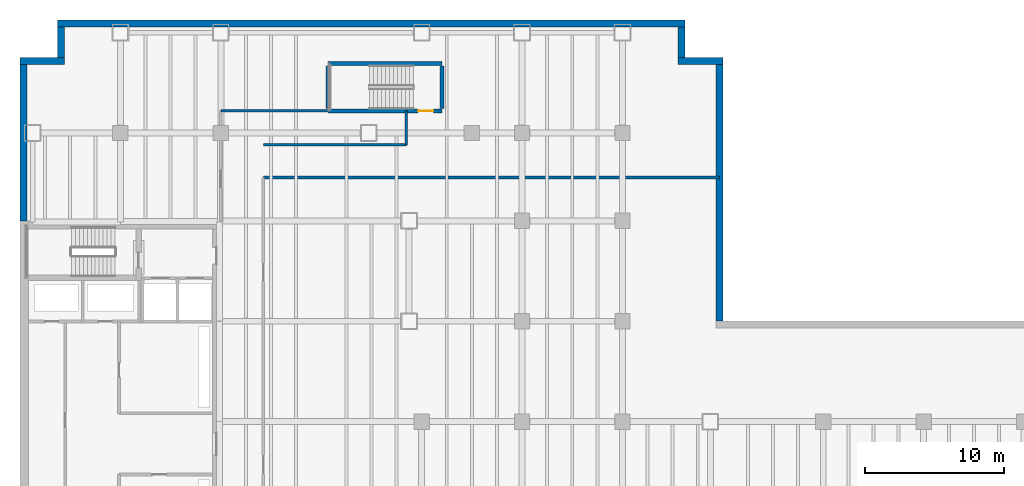
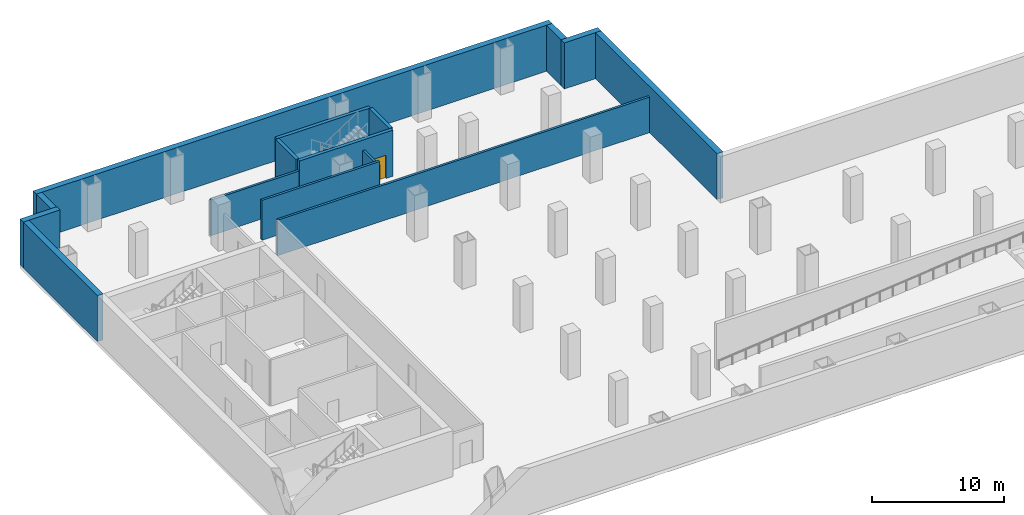
# One storey, part 7 of 11: 15 walls, 1 door, 1 opening.
"""IFC4 building model written with IfcOpenShell, lengths in metres."""

from ifc_helpers import new_model, si_unit, direction, frame, frame_2d, origin, place, context, subcontext, project, spatial, rectangle, extrude, material, layer, layer_set, type_object, element, fill, save


model = new_model("IFC4")

# Units and contexts
model_context = context("Model", 3, precision=1e-05, world=origin(), true_north=direction((0.0, 1.0)))
body_context = subcontext(model_context, "Body", "Model", "MODEL_VIEW")
ifc_project = project(units=[si_unit("LENGTHUNIT", "METRE"), si_unit("AREAUNIT", "SQUARE_METRE"), si_unit("VOLUMEUNIT", "CUBIC_METRE"), si_unit("PLANEANGLEUNIT", "RADIAN"), si_unit("MASSUNIT", "GRAM", prefix="KILO")], contexts=[model_context])

# Site, building, storey
site_placement = place(None, origin())
site = spatial("IfcSite", under=ifc_project, at=site_placement, CompositionType="ELEMENT")
building_placement = place(site_placement, origin())
building = spatial("IfcBuilding", under=site, at=building_placement, Name="Cobrela Telecom Tower", CompositionType="ELEMENT")
storey_placement = place(building_placement, frame((0.0, 0.0, -4.550048828125)))
storey = spatial("IfcBuildingStorey", under=building, at=storey_placement, Name="B1", CompositionType="ELEMENT", Elevation=-4.550048828125)

# Walls
ifc_material_1 = material(Name="Concrete C40/50", Category="concrete")
ifc_layer_1 = layer(ifc_material_1, 0.5)
ifc_layer_set_1 = layer_set([ifc_layer_1], Name="Concrete C40/50")
wall_type_1 = type_object("IfcWallType", Name="WALL-RET-C40-500", PredefinedType="SOLIDWALL", material=ifc_layer_set_1)
wall_1_placement = place(storey_placement, frame((0.25, 36.0, 0.0), z_axis=(0.0, 0.0, 1.0), x_axis=(0.0, 1.0, 0.0)))
element("IfcWall", 1, at=wall_1_placement, inside=storey, type_object=wall_type_1, Name="B1 Basement Retaining Wall 3.2", PredefinedType="SOLIDWALL", context=body_context, shape_type="SweptSolid", body=[
    extrude(rectangle(XDim=11.199951171875, YDim=0.5, at=frame_2d((5.60009765625, 0.0))), origin(), (0.0, 0.0, 1.0), 4.25),
])
wall_2_placement = place(storey_placement, frame((0.0, 47.449951171875, 0.0), z_axis=(0.0, 0.0, 1.0), x_axis=(1.0, 0.0, 0.0)))
element("IfcWall", 2, at=wall_2_placement, inside=storey, type_object=wall_type_1, Name="B1 Basement Retaining Wall 04", PredefinedType="SOLIDWALL", context=body_context, shape_type="SweptSolid", body=[
    extrude(rectangle(XDim=3.199951171875, YDim=0.5, at=frame_2d((1.60009765625, 0.0))), origin(), (0.0, 0.0, 1.0), 4.25),
])
wall_3_placement = place(storey_placement, frame((2.949951171875, 47.699951171875, 0.0), z_axis=(0.0, 0.0, 1.0), x_axis=(0.0, 1.0, 0.0)))
element("IfcWall", 3, at=wall_3_placement, inside=storey, type_object=wall_type_1, Name="B1 Basement Retaining Wall 05", PredefinedType="SOLIDWALL", context=body_context, shape_type="SweptSolid", body=[
    extrude(rectangle(XDim=2.199951171875, YDim=0.5, at=frame_2d((1.10009765625, 0.0))), origin(), (0.0, 0.0, 1.0), 4.25),
])
wall_4_placement = place(storey_placement, frame((2.699951171875, 50.14990234375, 0.0), z_axis=(0.0, 0.0, 1.0), x_axis=(1.0, 0.0, 0.0)))
element("IfcWall", 4, at=wall_4_placement, inside=storey, type_object=wall_type_1, Name="B1 Basement Retaining Wall 06", PredefinedType="SOLIDWALL", context=body_context, shape_type="SweptSolid", body=[
    extrude(rectangle(XDim=45.0, YDim=0.5, at=frame_2d((22.5, 0.0))), origin(), (0.0, 0.0, 1.0), 4.25),
])
wall_5_placement = place(storey_placement, frame((47.449951171875, 49.89990234375, 0.0), z_axis=(0.0, 0.0, 1.0), x_axis=(0.0, -1.0, 0.0)))
element("IfcWall", 5, at=wall_5_placement, inside=storey, type_object=wall_type_1, Name="B1 Basement Retaining Wall 07", PredefinedType="SOLIDWALL", context=body_context, shape_type="SweptSolid", body=[
    extrude(rectangle(XDim=2.199951171875, YDim=0.5, at=frame_2d((1.10009765625, 0.0))), origin(), (0.0, 0.0, 1.0), 4.25),
])
wall_6_placement = place(storey_placement, frame((47.199951171875, 47.449951171875, 0.0), z_axis=(0.0, 0.0, 1.0), x_axis=(1.0, 0.0, 0.0)))
element("IfcWall", 6, at=wall_6_placement, inside=storey, type_object=wall_type_1, Name="B1 Basement Retaining Wall 08", PredefinedType="SOLIDWALL", context=body_context, shape_type="SweptSolid", body=[
    extrude(rectangle(XDim=3.199951171875, YDim=0.5, at=frame_2d((1.60009765625, 0.0))), origin(), (0.0, 0.0, 1.0), 4.25),
])
wall_7_placement = place(storey_placement, frame((50.14990234375, 47.199951171875, 0.0), z_axis=(0.0, 0.0, 1.0), x_axis=(0.0, -1.0, 0.0)))
element("IfcWall", 7, at=wall_7_placement, inside=storey, type_object=wall_type_1, Name="B1 Basement Retaining Wall 09", PredefinedType="SOLIDWALL", context=body_context, shape_type="SweptSolid", body=[
    extrude(rectangle(XDim=18.39990234375, YDim=0.5, at=frame_2d((9.199951171875, 0.0))), origin(), (0.0, 0.0, 1.0), 4.25),
])
ifc_material_2 = material(Name="Fire-Rated Gypsum Plasterboard")
ifc_layer_2 = layer(ifc_material_2, 0.199951171875)
ifc_layer_set_2 = layer_set([ifc_layer_2], Name="Fire-Rated Gypsum Plasterboard")
wall_type_2 = type_object("IfcWallType", Name="WALL-SHAFT-200", PredefinedType="PARTITIONING", material=ifc_layer_set_2)
wall_8_placement = place(storey_placement, frame((14.39990234375, 43.89990234375, 0.0), z_axis=(0.0, 0.0, 1.0), x_axis=(1.0, 0.0, 0.0)))
element("IfcWall", 8, at=wall_8_placement, inside=storey, type_object=wall_type_2, Name="B1 Shaft Enclosure W-B1V-N1", PredefinedType="PARTITIONING", context=body_context, shape_type="SweptSolid", body=[
    extrude(rectangle(XDim=7.7001953125, YDim=0.199951171875, at=frame_2d((3.85009765625, 0.0))), origin(), (0.0, 0.0, 1.0), 3.2880859375),
])
wall_9_placement = place(storey_placement, frame((17.449951171875, 41.449951171875, 0.0), z_axis=(0.0, 0.0, 1.0), x_axis=(1.0, 0.0, 0.0)))
element("IfcWall", 9, at=wall_9_placement, inside=storey, type_object=wall_type_2, Name="B1 Shaft Enclosure W-B1V-N2A", PredefinedType="PARTITIONING", context=body_context, shape_type="SweptSolid", body=[
    extrude(rectangle(XDim=10.25, YDim=0.199951171875, at=frame_2d((5.125, 0.0))), origin(), (0.0, 0.0, 1.0), 3.68603515625),
])
wall_10_placement = place(storey_placement, frame((17.449951171875, 39.10009765625, 0.0), z_axis=(0.0, 0.0, 1.0), x_axis=(1.0, 0.0, 0.0)))
element("IfcWall", 10, at=wall_10_placement, inside=storey, type_object=wall_type_2, Name="B1 Shaft Enclosure W-B1V-N2B", PredefinedType="PARTITIONING", context=body_context, shape_type="SweptSolid", body=[
    extrude(rectangle(XDim=32.699951171875, YDim=0.199951171875, at=frame_2d((16.35009765625, 0.0))), origin(), (0.0, 0.0, 1.0), 3.2880859375),
])
wall_11_placement = place(storey_placement, frame((27.699951171875, 41.449951171875, 0.0), z_axis=(0.0, 0.0, 1.0), x_axis=(0.0, 1.0, 0.0)))
element("IfcWall", 11, at=wall_11_placement, inside=storey, type_object=wall_type_2, Name="B1 Shaft Enclosure W-B1V-N3W", PredefinedType="PARTITIONING", context=body_context, shape_type="SweptSolid", body=[
    extrude(rectangle(XDim=2.449951171875, YDim=0.199951171875, at=frame_2d((1.22509765625, 0.0))), origin(), (0.0, 0.0, 1.0), 3.2880859375),
])

# Wall, opening, door
ifc_layer_3 = layer(ifc_material_1, 0.39990234375)
ifc_layer_set_3 = layer_set([ifc_layer_3], Name="Concrete C40/50")
wall_type_3 = type_object("IfcWallType", Name="WALL-SHAFT-C40-400", PredefinedType="SHEAR", material=ifc_layer_set_3)
wall_12_placement = place(storey_placement, frame((22.10009765625, 43.8798828125, 0.0), z_axis=(0.0, 0.0, 1.0), x_axis=(1.0, 0.0, 0.0)))
wall_12 = element("IfcWall", 12, at=wall_12_placement, inside=storey, type_object=wall_type_3, Name="B1 Podium Stair ST3 South Shear Wall", PredefinedType="SHEAR", context=body_context, shape_type="SweptSolid", body=[
    extrude(rectangle(XDim=8.14990234375, YDim=0.300048828125, at=frame_2d((4.074951171875, 0.0))), origin(), (0.0, 0.0, 1.0), 4.25),
])
opening_placement = place(wall_12_placement, frame((6.449951171875, 0.0, 0.0)))
opening = element("IfcOpeningElement", 13, at=opening_placement, cuts=wall_12, Name="Opening FD-90", PredefinedType="OPENING", context=body_context, shape_type="SweptSolid", body=[
    extrude(rectangle(XDim=1.10009765625, YDim=2.14990234375, at=frame_2d((0.550048828125, 1.074951171875))), frame((0.0, 0.162109375, 0.0), z_axis=(0.0, -1.0, 0.0), x_axis=(1.0, 0.0, 0.0)), (0.0, 0.0, 1.0), 0.323974609375),
])
ifc_material_3 = material(Name="Steel ASTM A36", Category="steel")
door_type = type_object("IfcDoorType", Name="DOOR-FD90-1100", OperationType="SINGLE_SWING_LEFT", PredefinedType="DOOR", material=ifc_material_3)
door_placement = place(opening_placement, origin())
door = element("IfcDoor", 14, at=door_placement, inside=storey, type_object=door_type, Name="B1 Door FD-90", OperationType="SINGLE_SWING_LEFT", OverallHeight=2.14990234375, OverallWidth=1.10009765625, PredefinedType="DOOR", context=body_context, shape_type="SweptSolid", body=[
    extrude(rectangle(XDim=1.10009765625, YDim=2.14990234375, at=frame_2d((0.550048828125, 1.074951171875))), frame((0.0, 0.02490234375, 0.0), z_axis=(0.0, -1.0, 0.0), x_axis=(1.0, 0.0, 0.0)), (0.0, 0.0, 1.0), 0.050048828125),
])
fill(opening, door)

# Walls
wall_13_placement = place(storey_placement, frame((22.10009765625, 47.27001953125, 0.0), z_axis=(0.0, 0.0, 1.0), x_axis=(1.0, 0.0, 0.0)))
element("IfcWall", 15, at=wall_13_placement, inside=storey, type_object=wall_type_3, Name="B1 Podium Stair ST3 North Shear Wall", PredefinedType="SHEAR", context=body_context, shape_type="SweptSolid", body=[
    extrude(rectangle(XDim=8.14990234375, YDim=0.300048828125, at=frame_2d((4.074951171875, 0.0))), origin(), (0.0, 0.0, 1.0), 4.25),
])
for number, where, z_axis, x_axis, name in (
    (16, (22.10009765625, 44.050048828125, 0.0), (0.0, 0.0, 1.0), (0.0, 1.0, 0.0), "B1 Podium Stair ST3 West Shear Wall"),
    (17, (30.25, 44.050048828125, 0.0), (0.0, 0.0, 1.0), (0.0, 1.0, 0.0), "B1 Podium Stair ST3 East Shear Wall"),
):
    element("IfcWall", number, at=place(storey_placement, frame(where, z_axis=z_axis, x_axis=x_axis)), inside=storey, type_object=wall_type_3, Name=name, PredefinedType="SHEAR", context=body_context, shape_type="SweptSolid", body=[
        extrude(rectangle(XDim=3.050048828125, YDim=0.300048828125, at=frame_2d((1.52490234375, 0.0))), origin(), (0.0, 0.0, 1.0), 4.25),
    ])

save(model, "model.ifc")
